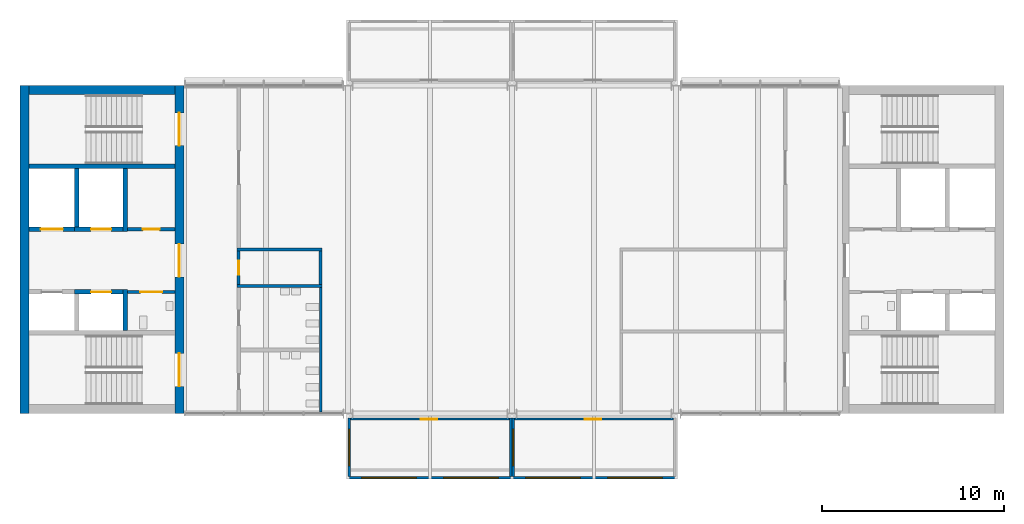
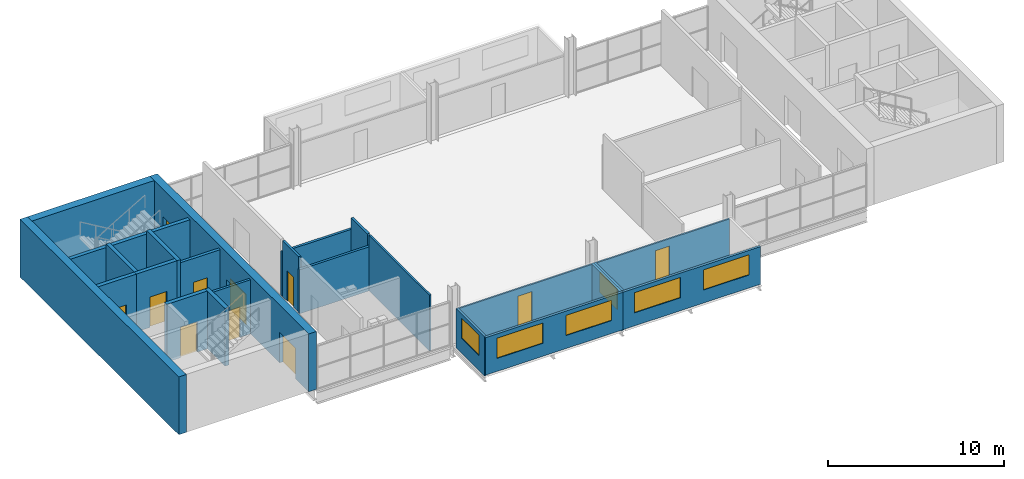
# One storey, part 5 of 10: 24 walls, 11 doors, 6 windows, 17 openings.
"""IFC4 building model written with IfcOpenShell, lengths in metres."""

from ifc_helpers import new_model, si_unit, direction, frame, frame_2d, origin, place, context, subcontext, project, spatial, rectangle, extrude, material, layer, layer_set, type_object, element, fill, save


model = new_model("IFC4")

# Units and contexts
model_context = context("Model", 3, precision=1e-05, world=origin(), true_north=direction((0.0, 1.0)))
body_context = subcontext(model_context, "Body", "Model", "MODEL_VIEW")
ifc_project = project(units=[si_unit("LENGTHUNIT", "METRE"), si_unit("AREAUNIT", "SQUARE_METRE"), si_unit("VOLUMEUNIT", "CUBIC_METRE"), si_unit("PLANEANGLEUNIT", "RADIAN"), si_unit("MASSUNIT", "GRAM", prefix="KILO")], contexts=[model_context])

# Site, building, storey
site_placement = place(None, origin())
site = spatial("IfcSite", under=ifc_project, at=site_placement, CompositionType="ELEMENT")
building_placement = place(site_placement, origin())
building = spatial("IfcBuilding", under=site, at=building_placement, Name="Corbel Yard City Hall", CompositionType="ELEMENT")
storey_placement = place(building_placement, frame((0.0, 0.0, 23.199951171875)))
storey = spatial("IfcBuildingStorey", under=building, at=storey_placement, Name="L05", CompositionType="ELEMENT", Elevation=23.199951171875)

# Walls
ifc_material_1 = material(Name="Concrete N40 (40 MPa)", Category="concrete")
ifc_layer_1 = layer(ifc_material_1, 0.25)
ifc_layer_set_1 = layer_set([ifc_layer_1], Name="Concrete N40 (40 MPa)")
wall_type_1 = type_object("IfcWallType", Name="IW2", PredefinedType="SOLIDWALL", material=ifc_layer_set_1)
wall_1_placement = place(storey_placement, frame((8.5, 112.574951171875, 0.0), z_axis=(0.0, 0.0, 1.0), x_axis=(-1.0, 0.0, 0.0)))
element("IfcWall", 1, at=wall_1_placement, inside=storey, type_object=wall_type_1, Name="Stair enclosure wall", PredefinedType="SOLIDWALL", context=body_context, shape_type="SweptSolid", body=[
    extrude(rectangle(XDim=8.0, YDim=0.25, at=frame_2d((4.0, 0.0))), origin(), (0.0, 0.0, 1.0), 3.75),
])
wall_2_placement = place(storey_placement, frame((5.77490234375, 103.550048828125, 0.0), z_axis=(0.0, 0.0, 1.0), x_axis=(0.0, 1.0, 0.0)))
element("IfcWall", 2, at=wall_2_placement, inside=storey, type_object=wall_type_1, Name="Lift LP22 shaft wall", PredefinedType="SOLIDWALL", context=body_context, shape_type="SweptSolid", body=[
    extrude(rectangle(XDim=2.25, YDim=0.25, at=frame_2d((1.125, 0.0))), origin(), (0.0, 0.0, 1.0), 4.0),
])

# Wall, opening, door
wall_3_placement = place(storey_placement, frame((5.64990234375, 105.675048828125, 0.0), z_axis=(0.0, 0.0, 1.0), x_axis=(-1.0, 0.0, 0.0)))
wall_3 = element("IfcWall", 3, at=wall_3_placement, inside=storey, type_object=wall_type_1, Name="Lift LP22 shaft wall", PredefinedType="SOLIDWALL", context=body_context, shape_type="SweptSolid", body=[
    extrude(rectangle(XDim=2.64990234375, YDim=0.25, at=frame_2d((1.324951171875, 0.0))), origin(), (0.0, 0.0, 1.0), 4.0),
])
opening_1_placement = place(wall_3_placement, frame((0.64990234375, 0.0, 0.0)))
opening_1 = element("IfcOpeningElement", 4, at=opening_1_placement, cuts=wall_3, Name="Opening T1-005", PredefinedType="OPENING", context=body_context, shape_type="SweptSolid", body=[
    extrude(rectangle(XDim=1.10009765625, YDim=2.10009765625, at=frame_2d((0.550048828125, 1.050048828125))), frame((0.0, 0.135009765625, 0.0), z_axis=(0.0, -1.0, 0.0), x_axis=(1.0, 0.0, 0.0)), (0.0, 0.0, 1.0), 0.27001953125),
])
ifc_material_2 = material(Name="Stainless steel Grade 316", Category="steel")
door_type_1 = type_object("IfcDoorType", Name="LD1", OperationType="DOUBLE_DOOR_SLIDING", PredefinedType="DOOR", material=ifc_material_2)
door_1_placement = place(opening_1_placement, origin())
door_1 = element("IfcDoor", 5, at=door_1_placement, inside=storey, type_object=door_type_1, Name="Lift LP22 landing door", OperationType="DOUBLE_DOOR_SLIDING", OverallHeight=2.10009765625, OverallWidth=1.10009765625, PredefinedType="DOOR", context=body_context, shape_type="SweptSolid", body=[
    extrude(rectangle(XDim=1.10009765625, YDim=2.10009765625, at=frame_2d((0.550048828125, 1.050048828125))), frame((0.0, 0.02490234375, 0.0), z_axis=(0.0, -1.0, 0.0), x_axis=(1.0, 0.0, 0.0)), (0.0, 0.0, 1.0), 0.050048828125),
])
fill(opening_1, door_1)

# Walls
wall_4_placement = place(storey_placement, frame((5.77490234375, 109.0, 0.0), z_axis=(0.0, 0.0, 1.0), x_axis=(0.0, 1.0, 0.0)))
element("IfcWall", 6, at=wall_4_placement, inside=storey, type_object=wall_type_1, Name="Lift LP24 shaft wall", PredefinedType="SOLIDWALL", context=body_context, shape_type="SweptSolid", body=[
    extrude(rectangle(XDim=3.449951171875, YDim=0.25, at=frame_2d((1.72509765625, 0.0))), origin(), (0.0, 0.0, 1.0), 4.0),
])
wall_5_placement = place(storey_placement, frame((3.125, 109.25, 0.0), z_axis=(0.0, 0.0, 1.0), x_axis=(0.0, 1.0, 0.0)))
element("IfcWall", 7, at=wall_5_placement, inside=storey, type_object=wall_type_1, Name="Lift LP24 shaft wall", PredefinedType="SOLIDWALL", context=body_context, shape_type="SweptSolid", body=[
    extrude(rectangle(XDim=3.199951171875, YDim=0.25, at=frame_2d((1.60009765625, 0.0))), origin(), (0.0, 0.0, 1.0), 4.0),
])

# Wall, opening, door
wall_6_placement = place(storey_placement, frame((5.64990234375, 109.125, 0.0), z_axis=(0.0, 0.0, 1.0), x_axis=(-1.0, 0.0, 0.0)))
wall_6 = element("IfcWall", 8, at=wall_6_placement, inside=storey, type_object=wall_type_1, Name="Lift LP24 shaft wall", PredefinedType="SOLIDWALL", context=body_context, shape_type="SweptSolid", body=[
    extrude(rectangle(XDim=2.64990234375, YDim=0.25, at=frame_2d((1.324951171875, 0.0))), origin(), (0.0, 0.0, 1.0), 4.0),
])
opening_2_placement = place(wall_6_placement, frame((0.64990234375, 0.0, 0.0)))
opening_2 = element("IfcOpeningElement", 9, at=opening_2_placement, cuts=wall_6, Name="Opening T1-007", PredefinedType="OPENING", context=body_context, shape_type="SweptSolid", body=[
    extrude(rectangle(XDim=1.10009765625, YDim=2.10009765625, at=frame_2d((0.550048828125, 1.050048828125))), frame((0.0, 0.135009765625, 0.0), z_axis=(0.0, -1.0, 0.0), x_axis=(1.0, 0.0, 0.0)), (0.0, 0.0, 1.0), 0.27001953125),
])
door_2_placement = place(opening_2_placement, origin())
door_2 = element("IfcDoor", 10, at=door_2_placement, inside=storey, type_object=door_type_1, Name="Lift LP24 landing door", OperationType="DOUBLE_DOOR_SLIDING", OverallHeight=2.10009765625, OverallWidth=1.10009765625, PredefinedType="DOOR", context=body_context, shape_type="SweptSolid", body=[
    extrude(rectangle(XDim=1.10009765625, YDim=2.10009765625, at=frame_2d((0.550048828125, 1.050048828125))), frame((0.0, 0.02490234375, 0.0), z_axis=(0.0, -1.0, 0.0), x_axis=(1.0, 0.0, 0.0)), (0.0, 0.0, 1.0), 0.050048828125),
])
fill(opening_2, door_2)

wall_7_placement = place(storey_placement, frame((3.0, 109.125, 0.0), z_axis=(0.0, 0.0, 1.0), x_axis=(-1.0, 0.0, 0.0)))
wall_7 = element("IfcWall", 11, at=wall_7_placement, inside=storey, type_object=wall_type_1, Name="Lift LF1 shaft wall", PredefinedType="SOLIDWALL", context=body_context, shape_type="SweptSolid", body=[
    extrude(rectangle(XDim=2.5, YDim=0.25, at=frame_2d((1.25, 0.0))), origin(), (0.0, 0.0, 1.0), 4.0),
])
opening_3_placement = place(wall_7_placement, frame((0.64990234375, 0.0, 0.0)))
opening_3 = element("IfcOpeningElement", 12, at=opening_3_placement, cuts=wall_7, Name="Opening T1-008", PredefinedType="OPENING", context=body_context, shape_type="SweptSolid", body=[
    extrude(rectangle(XDim=1.199951171875, YDim=2.10009765625, at=frame_2d((0.60009765625, 1.050048828125))), frame((0.0, 0.135009765625, 0.0), z_axis=(0.0, -1.0, 0.0), x_axis=(1.0, 0.0, 0.0)), (0.0, 0.0, 1.0), 0.27001953125),
])
door_type_2 = type_object("IfcDoorType", Name="LD2", OperationType="DOUBLE_DOOR_SLIDING", PredefinedType="DOOR", material=ifc_material_2)
door_3_placement = place(opening_3_placement, origin())
door_3 = element("IfcDoor", 13, at=door_3_placement, inside=storey, type_object=door_type_2, Name="Lift LF1 landing door", OperationType="DOUBLE_DOOR_SLIDING", OverallHeight=2.10009765625, OverallWidth=1.199951171875, PredefinedType="DOOR", context=body_context, shape_type="SweptSolid", body=[
    extrude(rectangle(XDim=1.199951171875, YDim=2.10009765625, at=frame_2d((0.60009765625, 1.050048828125))), frame((0.0, 0.02490234375, 0.0), z_axis=(0.0, -1.0, 0.0), x_axis=(1.0, 0.0, 0.0)), (0.0, 0.0, 1.0), 0.050048828125),
])
fill(opening_3, door_3)

# Wall, openings, windows
ifc_material_3 = material(Name="Anodised aluminium", Category="aluminium")
ifc_layer_2 = layer(ifc_material_3, 0.02392578125)
ifc_material_4 = material(Name="Steel Grade G550 (550 MPa yield)", Category="steel")
ifc_layer_3 = layer(ifc_material_4, 0.10009765625)
ifc_material_5 = material(Name="Gypsum plasterboard", Category="gypsum")
ifc_layer_4 = layer(ifc_material_5, 0.02587890625)
ifc_layer_set_2 = layer_set([ifc_layer_2, ifc_layer_3, ifc_layer_4], Name="Steel Grade G550 (550 MPa yield)")
wall_type_2 = type_object("IfcWallType", Name="PD1", PredefinedType="SOLIDWALL", material=ifc_layer_set_2)
wall_8_placement = place(storey_placement, frame((18.0, 95.47509765625, 0.0), z_axis=(0.0, 0.0, 1.0), x_axis=(1.0, 0.0, 0.0)))
wall_8 = element("IfcWall", 14, at=wall_8_placement, inside=storey, type_object=wall_type_2, Name="Pod outer wall L05", PredefinedType="SOLIDWALL", context=body_context, shape_type="SweptSolid", body=[
    extrude(rectangle(XDim=9.0, YDim=0.14990234375, at=frame_2d((4.5, 0.0))), origin(), (0.0, 0.0, 1.0), 2.60009765625),
])
opening_4_placement = place(wall_8_placement, frame((0.75, 0.0, 0.89990234375)))
opening_4 = element("IfcOpeningElement", 15, at=opening_4_placement, cuts=wall_8, Name="Opening WN5", PredefinedType="OPENING", context=body_context, shape_type="SweptSolid", body=[
    extrude(rectangle(XDim=3.0, YDim=1.39990234375, at=frame_2d((1.5, 0.699951171875))), frame((0.0, 0.0849609375, 0.0), z_axis=(0.0, -1.0, 0.0), x_axis=(1.0, 0.0, 0.0)), (0.0, 0.0, 1.0), 0.169921875),
])
opening_5_placement = place(wall_8_placement, frame((5.25, 0.0, 0.89990234375)))
opening_5 = element("IfcOpeningElement", 16, at=opening_5_placement, cuts=wall_8, Name="Opening WN5", PredefinedType="OPENING", context=body_context, shape_type="SweptSolid", body=[
    extrude(rectangle(XDim=3.0, YDim=1.39990234375, at=frame_2d((1.5, 0.699951171875))), frame((0.0, 0.0849609375, 0.0), z_axis=(0.0, -1.0, 0.0), x_axis=(1.0, 0.0, 0.0)), (0.0, 0.0, 1.0), 0.169921875),
])
ifc_material_6 = material(Name="Aluminium frame, double glazed low-e glass", Category="aluminium")
window_type_1 = type_object("IfcWindowType", Name="WN5", PartitioningType="SINGLE_PANEL", PredefinedType="WINDOW", material=ifc_material_6)
window_1_placement = place(opening_4_placement, origin())
window_1 = element("IfcWindow", 17, at=window_1_placement, inside=storey, type_object=window_type_1, Name="Window WN5 L05", OverallHeight=1.39990234375, OverallWidth=3.0, PartitioningType="SINGLE_PANEL", PredefinedType="WINDOW", context=body_context, shape_type="SweptSolid", body=[
    extrude(rectangle(XDim=3.0, YDim=1.39990234375, at=frame_2d((1.5, 0.699951171875))), frame((0.0, 0.030029296875, 0.0), z_axis=(0.0, -1.0, 0.0), x_axis=(1.0, 0.0, 0.0)), (0.0, 0.0, 1.0), 0.06005859375),
])
fill(opening_4, window_1)
window_2_placement = place(opening_5_placement, origin())
window_2 = element("IfcWindow", 18, at=window_2_placement, inside=storey, type_object=window_type_1, Name="Window WN5 L05", OverallHeight=1.39990234375, OverallWidth=3.0, PartitioningType="SINGLE_PANEL", PredefinedType="WINDOW", context=body_context, shape_type="SweptSolid", body=[
    extrude(rectangle(XDim=3.0, YDim=1.39990234375, at=frame_2d((1.5, 0.699951171875))), frame((0.0, 0.030029296875, 0.0), z_axis=(0.0, -1.0, 0.0), x_axis=(1.0, 0.0, 0.0)), (0.0, 0.0, 1.0), 0.06005859375),
])
fill(opening_5, window_2)

wall_9_placement = place(storey_placement, frame((27.0, 95.47509765625, 0.0), z_axis=(0.0, 0.0, 1.0), x_axis=(1.0, 0.0, 0.0)))
wall_9 = element("IfcWall", 19, at=wall_9_placement, inside=storey, type_object=wall_type_2, Name="Pod outer wall L05", PredefinedType="SOLIDWALL", context=body_context, shape_type="SweptSolid", body=[
    extrude(rectangle(XDim=9.0, YDim=0.14990234375, at=frame_2d((4.5, 0.0))), origin(), (0.0, 0.0, 1.0), 2.60009765625),
])
opening_6_placement = place(wall_9_placement, frame((0.75, 0.0, 0.89990234375)))
opening_6 = element("IfcOpeningElement", 20, at=opening_6_placement, cuts=wall_9, Name="Opening WN5", PredefinedType="OPENING", context=body_context, shape_type="SweptSolid", body=[
    extrude(rectangle(XDim=3.0, YDim=1.39990234375, at=frame_2d((1.5, 0.699951171875))), frame((0.0, 0.0849609375, 0.0), z_axis=(0.0, -1.0, 0.0), x_axis=(1.0, 0.0, 0.0)), (0.0, 0.0, 1.0), 0.169921875),
])
opening_7_placement = place(wall_9_placement, frame((5.25, 0.0, 0.89990234375)))
opening_7 = element("IfcOpeningElement", 21, at=opening_7_placement, cuts=wall_9, Name="Opening WN5", PredefinedType="OPENING", context=body_context, shape_type="SweptSolid", body=[
    extrude(rectangle(XDim=3.0, YDim=1.39990234375, at=frame_2d((1.5, 0.699951171875))), frame((0.0, 0.0849609375, 0.0), z_axis=(0.0, -1.0, 0.0), x_axis=(1.0, 0.0, 0.0)), (0.0, 0.0, 1.0), 0.169921875),
])
window_3_placement = place(opening_6_placement, origin())
window_3 = element("IfcWindow", 22, at=window_3_placement, inside=storey, type_object=window_type_1, Name="Window WN5 L05", OverallHeight=1.39990234375, OverallWidth=3.0, PartitioningType="SINGLE_PANEL", PredefinedType="WINDOW", context=body_context, shape_type="SweptSolid", body=[
    extrude(rectangle(XDim=3.0, YDim=1.39990234375, at=frame_2d((1.5, 0.699951171875))), frame((0.0, 0.030029296875, 0.0), z_axis=(0.0, -1.0, 0.0), x_axis=(1.0, 0.0, 0.0)), (0.0, 0.0, 1.0), 0.06005859375),
])
fill(opening_6, window_3)
window_4_placement = place(opening_7_placement, origin())
window_4 = element("IfcWindow", 23, at=window_4_placement, inside=storey, type_object=window_type_1, Name="Window WN5 L05", OverallHeight=1.39990234375, OverallWidth=3.0, PartitioningType="SINGLE_PANEL", PredefinedType="WINDOW", context=body_context, shape_type="SweptSolid", body=[
    extrude(rectangle(XDim=3.0, YDim=1.39990234375, at=frame_2d((1.5, 0.699951171875))), frame((0.0, 0.030029296875, 0.0), z_axis=(0.0, -1.0, 0.0), x_axis=(1.0, 0.0, 0.0)), (0.0, 0.0, 1.0), 0.06005859375),
])
fill(opening_7, window_4)

# Wall, opening, door
ifc_layer_5 = layer(ifc_material_5, 0.01806640625)
ifc_layer_6 = layer(ifc_material_4, 0.06396484375)
ifc_layer_7 = layer(ifc_material_5, 0.01806640625)
ifc_layer_set_3 = layer_set([ifc_layer_5, ifc_layer_6, ifc_layer_7], Name="Steel Grade G550 (550 MPa yield)")
wall_type_3 = type_object("IfcWallType", Name="PD2", PredefinedType="PARTITIONING", material=ifc_layer_set_3)
wall_10_placement = place(storey_placement, frame((18.14990234375, 98.699951171875, 0.0), z_axis=(0.0, 0.0, 1.0), x_axis=(1.0, 0.0, 0.0)))
wall_10 = element("IfcWall", 24, at=wall_10_placement, inside=storey, type_object=wall_type_3, Name="Pod inner wall L05", PredefinedType="PARTITIONING", context=body_context, shape_type="SweptSolid", body=[
    extrude(rectangle(XDim=8.7001953125, YDim=0.10009765625, at=frame_2d((4.35009765625, 0.0))), origin(), (0.0, 0.0, 1.0), 2.60009765625),
])
opening_8_placement = place(wall_10_placement, frame((3.85009765625, 0.0, 0.0)))
opening_8 = element("IfcOpeningElement", 25, at=opening_8_placement, cuts=wall_10, Name="Opening T1-001", PredefinedType="OPENING", context=body_context, shape_type="SweptSolid", body=[
    extrude(rectangle(XDim=0.89990234375, YDim=2.10009765625, at=frame_2d((0.449951171875, 1.050048828125))), frame((0.0, 0.06005859375, 0.0), z_axis=(0.0, -1.0, 0.0), x_axis=(1.0, 0.0, 0.0)), (0.0, 0.0, 1.0), 0.1201171875),
])
ifc_material_7 = material(Name="Timber, solid core", Category="wood")
door_type_3 = type_object("IfcDoorType", Name="XD6", OperationType="SINGLE_SWING_LEFT", PredefinedType="DOOR", material=ifc_material_7)
door_4_placement = place(opening_8_placement, frame((0.89990234375, 0.0, 0.0), z_axis=(0.0, 0.0, 1.0), x_axis=(-1.0, 0.0, 0.0)))
door_4 = element("IfcDoor", 26, at=door_4_placement, inside=storey, type_object=door_type_3, Name="Pod door L05", OperationType="SINGLE_SWING_RIGHT", OverallHeight=2.10009765625, OverallWidth=0.89990234375, PredefinedType="DOOR", context=body_context, shape_type="SweptSolid", body=[
    extrude(rectangle(XDim=0.89990234375, YDim=2.10009765625, at=frame_2d((0.449951171875, 1.050048828125))), frame((0.0, 0.02490234375, 0.0), z_axis=(0.0, -1.0, 0.0), x_axis=(1.0, 0.0, 0.0)), (0.0, 0.0, 1.0), 0.050048828125),
])
fill(opening_8, door_4)

wall_11_placement = place(storey_placement, frame((27.14990234375, 98.699951171875, 0.0), z_axis=(0.0, 0.0, 1.0), x_axis=(1.0, 0.0, 0.0)))
wall_11 = element("IfcWall", 27, at=wall_11_placement, inside=storey, type_object=wall_type_3, Name="Pod inner wall L05", PredefinedType="PARTITIONING", context=body_context, shape_type="SweptSolid", body=[
    extrude(rectangle(XDim=8.7001953125, YDim=0.10009765625, at=frame_2d((4.35009765625, 0.0))), origin(), (0.0, 0.0, 1.0), 2.60009765625),
])
opening_9_placement = place(wall_11_placement, frame((3.85009765625, 0.0, 0.0)))
opening_9 = element("IfcOpeningElement", 28, at=opening_9_placement, cuts=wall_11, Name="Opening T1-002", PredefinedType="OPENING", context=body_context, shape_type="SweptSolid", body=[
    extrude(rectangle(XDim=0.89990234375, YDim=2.10009765625, at=frame_2d((0.449951171875, 1.050048828125))), frame((0.0, 0.06005859375, 0.0), z_axis=(0.0, -1.0, 0.0), x_axis=(1.0, 0.0, 0.0)), (0.0, 0.0, 1.0), 0.1201171875),
])
door_5_placement = place(opening_9_placement, frame((0.89990234375, 0.0, 0.0), z_axis=(0.0, 0.0, 1.0), x_axis=(-1.0, 0.0, 0.0)))
door_5 = element("IfcDoor", 29, at=door_5_placement, inside=storey, type_object=door_type_3, Name="Pod door L05", OperationType="SINGLE_SWING_RIGHT", OverallHeight=2.10009765625, OverallWidth=0.89990234375, PredefinedType="DOOR", context=body_context, shape_type="SweptSolid", body=[
    extrude(rectangle(XDim=0.89990234375, YDim=2.10009765625, at=frame_2d((0.449951171875, 1.050048828125))), frame((0.0, 0.02490234375, 0.0), z_axis=(0.0, -1.0, 0.0), x_axis=(1.0, 0.0, 0.0)), (0.0, 0.0, 1.0), 0.050048828125),
])
fill(opening_9, door_5)

# Wall, opening, window
ifc_layer_8 = layer(ifc_material_3, 0.02392578125)
ifc_layer_9 = layer(ifc_material_4, 0.10009765625)
ifc_layer_10 = layer(ifc_material_5, 0.02587890625)
ifc_layer_set_4 = layer_set([ifc_layer_8, ifc_layer_9, ifc_layer_10], Name="Steel Grade G550 (550 MPa yield)")
wall_type_4 = type_object("IfcWallType", Name="PD3", PredefinedType="SOLIDWALL", material=ifc_layer_set_4)
wall_12_placement = place(storey_placement, frame((18.074951171875, 95.550048828125, -0.14990234375), z_axis=(0.0, 0.0, 1.0), x_axis=(0.0, 1.0, 0.0)))
wall_12 = element("IfcWall", 30, at=wall_12_placement, inside=storey, type_object=wall_type_4, Name="Pod side wall L05", PredefinedType="SOLIDWALL", context=body_context, shape_type="SweptSolid", body=[
    extrude(rectangle(XDim=3.199951171875, YDim=0.14990234375, at=frame_2d((1.60009765625, 0.0))), origin(), (0.0, 0.0, 1.0), 2.75),
])
opening_10_placement = place(wall_12_placement, frame((0.60009765625, 0.0, 1.050048828125)))
opening_10 = element("IfcOpeningElement", 31, at=opening_10_placement, cuts=wall_12, Name="Opening WN6", PredefinedType="OPENING", context=body_context, shape_type="SweptSolid", body=[
    extrude(rectangle(XDim=2.0, YDim=1.39990234375, at=frame_2d((1.0, 0.699951171875))), frame((0.0, 0.0849609375, 0.0), z_axis=(0.0, -1.0, 0.0), x_axis=(1.0, 0.0, 0.0)), (0.0, 0.0, 1.0), 0.169921875),
])
window_type_2 = type_object("IfcWindowType", Name="WN6", PartitioningType="SINGLE_PANEL", PredefinedType="WINDOW", material=ifc_material_6)
window_5_placement = place(opening_10_placement, origin())
window_5 = element("IfcWindow", 32, at=window_5_placement, inside=storey, type_object=window_type_2, Name="Window WN6 L05", OverallHeight=1.39990234375, OverallWidth=2.0, PartitioningType="SINGLE_PANEL", PredefinedType="WINDOW", context=body_context, shape_type="SweptSolid", body=[
    extrude(rectangle(XDim=2.0, YDim=1.39990234375, at=frame_2d((1.0, 0.699951171875))), frame((0.0, 0.030029296875, 0.0), z_axis=(0.0, -1.0, 0.0), x_axis=(1.0, 0.0, 0.0)), (0.0, 0.0, 1.0), 0.06005859375),
])
fill(opening_10, window_5)

# Wall
wall_13_placement = place(storey_placement, frame((26.925048828125, 95.550048828125, -0.14990234375), z_axis=(0.0, 0.0, 1.0), x_axis=(0.0, 1.0, 0.0)))
element("IfcWall", 33, at=wall_13_placement, inside=storey, type_object=wall_type_4, Name="Pod side wall L05", PredefinedType="SOLIDWALL", context=body_context, shape_type="SweptSolid", body=[
    extrude(rectangle(XDim=3.199951171875, YDim=0.14990234375, at=frame_2d((1.60009765625, 0.0))), origin(), (0.0, 0.0, 1.0), 2.75),
])

# Wall, opening, window
wall_14_placement = place(storey_placement, frame((27.074951171875, 95.550048828125, -0.14990234375), z_axis=(0.0, 0.0, 1.0), x_axis=(0.0, 1.0, 0.0)))
wall_14 = element("IfcWall", 34, at=wall_14_placement, inside=storey, type_object=wall_type_4, Name="Pod side wall L05", PredefinedType="SOLIDWALL", context=body_context, shape_type="SweptSolid", body=[
    extrude(rectangle(XDim=3.199951171875, YDim=0.14990234375, at=frame_2d((1.60009765625, 0.0))), origin(), (0.0, 0.0, 1.0), 2.75),
])
opening_11_placement = place(wall_14_placement, frame((0.60009765625, 0.0, 1.050048828125)))
opening_11 = element("IfcOpeningElement", 35, at=opening_11_placement, cuts=wall_14, Name="Opening WN6", PredefinedType="OPENING", context=body_context, shape_type="SweptSolid", body=[
    extrude(rectangle(XDim=2.0, YDim=1.39990234375, at=frame_2d((1.0, 0.699951171875))), frame((0.0, 0.0849609375, 0.0), z_axis=(0.0, -1.0, 0.0), x_axis=(1.0, 0.0, 0.0)), (0.0, 0.0, 1.0), 0.169921875),
])
window_6_placement = place(opening_11_placement, origin())
window_6 = element("IfcWindow", 36, at=window_6_placement, inside=storey, type_object=window_type_2, Name="Window WN6 L05", OverallHeight=1.39990234375, OverallWidth=2.0, PartitioningType="SINGLE_PANEL", PredefinedType="WINDOW", context=body_context, shape_type="SweptSolid", body=[
    extrude(rectangle(XDim=2.0, YDim=1.39990234375, at=frame_2d((1.0, 0.699951171875))), frame((0.0, 0.030029296875, 0.0), z_axis=(0.0, -1.0, 0.0), x_axis=(1.0, 0.0, 0.0)), (0.0, 0.0, 1.0), 0.06005859375),
])
fill(opening_11, window_6)

# Wall
ifc_layer_11 = layer(ifc_material_5, 0.028076171875)
ifc_layer_12 = layer(ifc_material_4, 0.06396484375)
ifc_layer_13 = layer(ifc_material_5, 0.028076171875)
ifc_layer_set_5 = layer_set([ifc_layer_11, ifc_layer_12, ifc_layer_13], Name="Steel Grade G550 (550 MPa yield)")
wall_type_5 = type_object("IfcWallType", Name="PT1", PredefinedType="PARTITIONING", material=ifc_layer_set_5)
wall_15_placement = place(storey_placement, frame((16.5, 99.074951171875, 0.0), z_axis=(0.0, 0.0, 1.0), x_axis=(0.0, 1.0, 0.0)))
element("IfcWall", 37, at=wall_15_placement, inside=storey, type_object=wall_type_5, Name="Partition", PredefinedType="PARTITIONING", context=body_context, shape_type="SweptSolid", body=[
    extrude(rectangle(XDim=6.844970703125, YDim=0.1201171875, at=frame_2d((3.42236328125, 0.0))), origin(), (0.0, 0.0, 1.0), 3.85009765625),
])

# Wall, opening, door
ifc_layer_14 = layer(ifc_material_5, 0.031982421875)
ifc_layer_15 = layer(ifc_material_4, 0.095947265625)
ifc_layer_16 = layer(ifc_material_5, 0.031982421875)
ifc_layer_set_6 = layer_set([ifc_layer_14, ifc_layer_15, ifc_layer_16], Name="Steel Grade G550 (550 MPa yield)")
wall_type_6 = type_object("IfcWallType", Name="PT3", PredefinedType="PARTITIONING", material=ifc_layer_set_6)
wall_16_placement = place(storey_placement, frame((8.5, 105.675048828125, 0.0), z_axis=(0.0, 0.0, 1.0), x_axis=(-1.0, 0.0, 0.0)))
wall_16 = element("IfcWall", 38, at=wall_16_placement, inside=storey, type_object=wall_type_6, Name="Accessible WC wall", PredefinedType="PARTITIONING", context=body_context, shape_type="SweptSolid", body=[
    extrude(rectangle(XDim=2.60009765625, YDim=0.159912109375, at=frame_2d((1.300048828125, 0.0))), origin(), (0.0, 0.0, 1.0), 3.75),
])
opening_12_placement = place(wall_16_placement, frame((0.699951171875, 0.0, 0.0)))
opening_12 = element("IfcOpeningElement", 39, at=opening_12_placement, cuts=wall_16, Name="Opening T1-023", PredefinedType="OPENING", context=body_context, shape_type="SweptSolid", body=[
    extrude(rectangle(XDim=1.199951171875, YDim=2.10009765625, at=frame_2d((0.60009765625, 1.050048828125))), frame((0.0, 0.08984375, 0.0), z_axis=(0.0, -1.0, 0.0), x_axis=(1.0, 0.0, 0.0)), (0.0, 0.0, 1.0), 0.179931640625),
])
ifc_material_8 = material(Name="Steel Grade G250", Category="steel")
door_type_4 = type_object("IfcDoorType", Name="FD7", OperationType="SINGLE_SWING_LEFT", PredefinedType="DOOR", material=ifc_material_8)
door_6_placement = place(opening_12_placement, origin())
door_6 = element("IfcDoor", 40, at=door_6_placement, inside=storey, type_object=door_type_4, Name="Door accessible WC West", OperationType="SINGLE_SWING_LEFT", OverallHeight=2.10009765625, OverallWidth=1.199951171875, PredefinedType="DOOR", context=body_context, shape_type="SweptSolid", body=[
    extrude(rectangle(XDim=1.199951171875, YDim=2.10009765625, at=frame_2d((0.60009765625, 1.050048828125))), frame((0.0, 0.02490234375, 0.0), z_axis=(0.0, -1.0, 0.0), x_axis=(1.0, 0.0, 0.0)), (0.0, 0.0, 1.0), 0.050048828125),
])
fill(opening_12, door_6)

# Walls
for number, where, z_axis, x_axis, name in (
    (41, (11.89990234375, 106.0, 0.0), (0.0, 0.0, 1.0), (1.0, 0.0, 0.0), "Fire-resisting wall"),
    (42, (11.89990234375, 108.0, 0.0), (0.0, 0.0, 1.0), (1.0, 0.0, 0.0), "Fire-resisting wall"),
):
    element("IfcWall", number, at=place(storey_placement, frame(where, z_axis=z_axis, x_axis=x_axis)), inside=storey, type_object=wall_type_6, Name=name, PredefinedType="PARTITIONING", context=body_context, shape_type="SweptSolid", body=[
        extrude(rectangle(XDim=4.68017578125, YDim=0.159912109375, at=frame_2d((2.340087890625, 0.0))), origin(), (0.0, 0.0, 1.0), 3.050048828125),
    ])

# Wall, opening, door
wall_17_placement = place(storey_placement, frame((12.0, 106.080078125, 0.0), z_axis=(0.0, 0.0, 1.0), x_axis=(0.0, 1.0, 0.0)))
wall_17 = element("IfcWall", 43, at=wall_17_placement, inside=storey, type_object=wall_type_6, Name="Fire-resisting wall", PredefinedType="PARTITIONING", context=body_context, shape_type="SweptSolid", body=[
    extrude(rectangle(XDim=1.83984375, YDim=0.159912109375, at=frame_2d((0.919921875, 0.0))), origin(), (0.0, 0.0, 1.0), 3.85009765625),
])
opening_13_placement = place(wall_17_placement, frame((0.544921875, 0.0, 0.0)))
opening_13 = element("IfcOpeningElement", 44, at=opening_13_placement, cuts=wall_17, Name="Opening T1-015", PredefinedType="OPENING", context=body_context, shape_type="SweptSolid", body=[
    extrude(rectangle(XDim=0.75, YDim=2.10009765625, at=frame_2d((0.375, 1.050048828125))), frame((0.0, 0.08984375, 0.0), z_axis=(0.0, -1.0, 0.0), x_axis=(1.0, 0.0, 0.0)), (0.0, 0.0, 1.0), 0.179931640625),
])
door_type_5 = type_object("IfcDoorType", Name="FD42", OperationType="SINGLE_SWING_LEFT", PredefinedType="DOOR", material=ifc_material_8)
door_7_placement = place(opening_13_placement, frame((0.75, 0.0, 0.0), z_axis=(0.0, 0.0, 1.0), x_axis=(-1.0, 0.0, 0.0)))
door_7 = element("IfcDoor", 45, at=door_7_placement, inside=storey, type_object=door_type_5, Name="Door Cleaners' Room 0505", OperationType="SINGLE_SWING_RIGHT", OverallHeight=2.10009765625, OverallWidth=0.75, PredefinedType="DOOR", context=body_context, shape_type="SweptSolid", body=[
    extrude(rectangle(XDim=0.75, YDim=2.10009765625, at=frame_2d((0.375, 1.050048828125))), frame((0.0, 0.02490234375, 0.0), z_axis=(0.0, -1.0, 0.0), x_axis=(1.0, 0.0, 0.0)), (0.0, 0.0, 1.0), 0.050048828125),
])
fill(opening_13, door_7)

# Wall
wall_18_placement = place(storey_placement, frame((16.5, 106.080078125, 0.0), z_axis=(0.0, 0.0, 1.0), x_axis=(0.0, 1.0, 0.0)))
element("IfcWall", 46, at=wall_18_placement, inside=storey, type_object=wall_type_6, Name="Fire-resisting wall", PredefinedType="PARTITIONING", context=body_context, shape_type="SweptSolid", body=[
    extrude(rectangle(XDim=1.83984375, YDim=0.159912109375, at=frame_2d((0.919921875, 0.0))), origin(), (0.0, 0.0, 1.0), 3.85009765625),
])

# Wall, opening, door
ifc_material_9 = material(Name="Concrete block", Category="concrete")
ifc_layer_17 = layer(ifc_material_9, 0.18994140625)
ifc_layer_set_7 = layer_set([ifc_layer_17], Name="Concrete block")
wall_type_7 = type_object("IfcWallType", Name="PT4", PredefinedType="PARTITIONING", material=ifc_layer_set_7)
wall_19_placement = place(storey_placement, frame((8.5, 109.125, 0.0), z_axis=(0.0, 0.0, 1.0), x_axis=(-1.0, 0.0, 0.0)))
wall_19 = element("IfcWall", 47, at=wall_19_placement, inside=storey, type_object=wall_type_7, Name="Riser wall", PredefinedType="PARTITIONING", context=body_context, shape_type="SweptSolid", body=[
    extrude(rectangle(XDim=2.60009765625, YDim=0.18994140625, at=frame_2d((1.300048828125, 0.0))), origin(), (0.0, 0.0, 1.0), 3.75),
])
opening_14_placement = place(wall_19_placement, frame((0.840087890625, 0.0, 0.0)))
opening_14 = element("IfcOpeningElement", 48, at=opening_14_placement, cuts=wall_19, Name="Opening T1-024", PredefinedType="OPENING", context=body_context, shape_type="SweptSolid", body=[
    extrude(rectangle(XDim=0.919921875, YDim=2.10009765625, at=frame_2d((0.4599609375, 1.050048828125))), frame((0.0, 0.10498046875, 0.0), z_axis=(0.0, -1.0, 0.0), x_axis=(1.0, 0.0, 0.0)), (0.0, 0.0, 1.0), 0.2099609375),
])
door_type_6 = type_object("IfcDoorType", Name="FS4", OperationType="SINGLE_SWING_LEFT", PredefinedType="DOOR", material=ifc_material_8)
door_8_placement = place(opening_14_placement, frame((0.919921875, 0.0, 0.0), z_axis=(0.0, 0.0, 1.0), x_axis=(-1.0, 0.0, 0.0)))
door_8 = element("IfcDoor", 49, at=door_8_placement, inside=storey, type_object=door_type_6, Name="Door riser West", OperationType="SINGLE_SWING_RIGHT", OverallHeight=2.10009765625, OverallWidth=0.919921875, PredefinedType="DOOR", context=body_context, shape_type="SweptSolid", body=[
    extrude(rectangle(XDim=0.919921875, YDim=2.10009765625, at=frame_2d((0.4599609375, 1.050048828125))), frame((0.0, 0.02490234375, 0.0), z_axis=(0.0, -1.0, 0.0), x_axis=(1.0, 0.0, 0.0)), (0.0, 0.0, 1.0), 0.050048828125),
])
fill(opening_14, door_8)

# Wall
ifc_material_10 = material(Name="Concrete N50 (50 MPa)", Category="concrete")
ifc_layer_18 = layer(ifc_material_10, 0.5)
ifc_layer_set_8 = layer_set([ifc_layer_18], Name="Concrete N50 (50 MPa)")
wall_type_8 = type_object("IfcWallType", Name="Trunk wall 500", PredefinedType="SHEAR", material=ifc_layer_set_8)
wall_20_placement = place(storey_placement, frame((0.25, 99.0, 0.0), z_axis=(0.0, 0.0, 1.0), x_axis=(0.0, 1.0, 0.0)))
element("IfcWall", 50, at=wall_20_placement, inside=storey, type_object=wall_type_8, Name="Trunk W west wall", PredefinedType="SHEAR", context=body_context, shape_type="SweptSolid", body=[
    extrude(rectangle(XDim=18.0, YDim=0.5, at=frame_2d((9.0, 0.0))), origin(), (0.0, 0.0, 1.0), 4.0),
])

# Wall, openings, doors
wall_21_placement = place(storey_placement, frame((8.75, 99.0, 0.0), z_axis=(0.0, 0.0, 1.0), x_axis=(0.0, 1.0, 0.0)))
wall_21 = element("IfcWall", 51, at=wall_21_placement, inside=storey, type_object=wall_type_8, Name="Trunk W east wall", PredefinedType="SHEAR", context=body_context, shape_type="SweptSolid", body=[
    extrude(rectangle(XDim=18.0, YDim=0.5, at=frame_2d((9.0, 0.0))), origin(), (0.0, 0.0, 1.0), 4.0),
])
opening_15_placement = place(wall_21_placement, frame((1.5, 0.0, 0.0)))
opening_15 = element("IfcOpeningElement", 52, at=opening_15_placement, cuts=wall_21, Name="Opening T1-020", PredefinedType="OPENING", context=body_context, shape_type="SweptSolid", body=[
    extrude(rectangle(XDim=1.800048828125, YDim=2.10009765625, at=frame_2d((0.89990234375, 1.050048828125))), frame((0.0, 0.260009765625, 0.0), z_axis=(0.0, -1.0, 0.0), x_axis=(1.0, 0.0, 0.0)), (0.0, 0.0, 1.0), 0.52001953125),
])
opening_16_placement = place(wall_21_placement, frame((14.699951171875, 0.0, 0.0)))
opening_16 = element("IfcOpeningElement", 53, at=opening_16_placement, cuts=wall_21, Name="Opening T1-021", PredefinedType="OPENING", context=body_context, shape_type="SweptSolid", body=[
    extrude(rectangle(XDim=1.800048828125, YDim=2.10009765625, at=frame_2d((0.89990234375, 1.050048828125))), frame((0.0, 0.260009765625, 0.0), z_axis=(0.0, -1.0, 0.0), x_axis=(1.0, 0.0, 0.0)), (0.0, 0.0, 1.0), 0.52001953125),
])
opening_17_placement = place(wall_21_placement, frame((7.5, 0.0, 0.0)))
opening_17 = element("IfcOpeningElement", 54, at=opening_17_placement, cuts=wall_21, Name="Opening T1-022", PredefinedType="OPENING", context=body_context, shape_type="SweptSolid", body=[
    extrude(rectangle(XDim=1.800048828125, YDim=2.10009765625, at=frame_2d((0.89990234375, 1.050048828125))), frame((0.0, 0.260009765625, 0.0), z_axis=(0.0, -1.0, 0.0), x_axis=(1.0, 0.0, 0.0)), (0.0, 0.0, 1.0), 0.52001953125),
])
door_type_7 = type_object("IfcDoorType", Name="FS3", OperationType="DOUBLE_DOOR_SINGLE_SWING", PredefinedType="DOOR", material=ifc_material_8)
door_9_placement = place(opening_15_placement, origin())
door_9 = element("IfcDoor", 55, at=door_9_placement, inside=storey, type_object=door_type_7, Name="Door ST-W1", OperationType="DOUBLE_DOOR_SINGLE_SWING", OverallHeight=2.10009765625, OverallWidth=1.800048828125, PredefinedType="DOOR", context=body_context, shape_type="SweptSolid", body=[
    extrude(rectangle(XDim=1.800048828125, YDim=2.10009765625, at=frame_2d((0.89990234375, 1.050048828125))), frame((0.0, 0.02490234375, 0.0), z_axis=(0.0, -1.0, 0.0), x_axis=(1.0, 0.0, 0.0)), (0.0, 0.0, 1.0), 0.050048828125),
])
fill(opening_15, door_9)
door_10_placement = place(opening_16_placement, origin())
door_10 = element("IfcDoor", 56, at=door_10_placement, inside=storey, type_object=door_type_7, Name="Door ST-W2", OperationType="DOUBLE_DOOR_SINGLE_SWING", OverallHeight=2.10009765625, OverallWidth=1.800048828125, PredefinedType="DOOR", context=body_context, shape_type="SweptSolid", body=[
    extrude(rectangle(XDim=1.800048828125, YDim=2.10009765625, at=frame_2d((0.89990234375, 1.050048828125))), frame((0.0, 0.02490234375, 0.0), z_axis=(0.0, -1.0, 0.0), x_axis=(1.0, 0.0, 0.0)), (0.0, 0.0, 1.0), 0.050048828125),
])
fill(opening_16, door_10)
door_11_placement = place(opening_17_placement, origin())
door_11 = element("IfcDoor", 57, at=door_11_placement, inside=storey, type_object=door_type_7, Name="Door lift lobby West", OperationType="DOUBLE_DOOR_SINGLE_SWING", OverallHeight=2.10009765625, OverallWidth=1.800048828125, PredefinedType="DOOR", context=body_context, shape_type="SweptSolid", body=[
    extrude(rectangle(XDim=1.800048828125, YDim=2.10009765625, at=frame_2d((0.89990234375, 1.050048828125))), frame((0.0, 0.02490234375, 0.0), z_axis=(0.0, -1.0, 0.0), x_axis=(1.0, 0.0, 0.0)), (0.0, 0.0, 1.0), 0.050048828125),
])
fill(opening_17, door_11)

# Wall
wall_22_placement = place(storey_placement, frame((0.5, 116.75, 0.0), z_axis=(0.0, 0.0, 1.0), x_axis=(1.0, 0.0, 0.0)))
element("IfcWall", 58, at=wall_22_placement, inside=storey, type_object=wall_type_8, Name="Trunk W north wall", PredefinedType="SHEAR", context=body_context, shape_type="SweptSolid", body=[
    extrude(rectangle(XDim=8.0, YDim=0.5, at=frame_2d((4.0, 0.0))), origin(), (0.0, 0.0, 1.0), 4.0),
])

save(model, "model.ifc")
